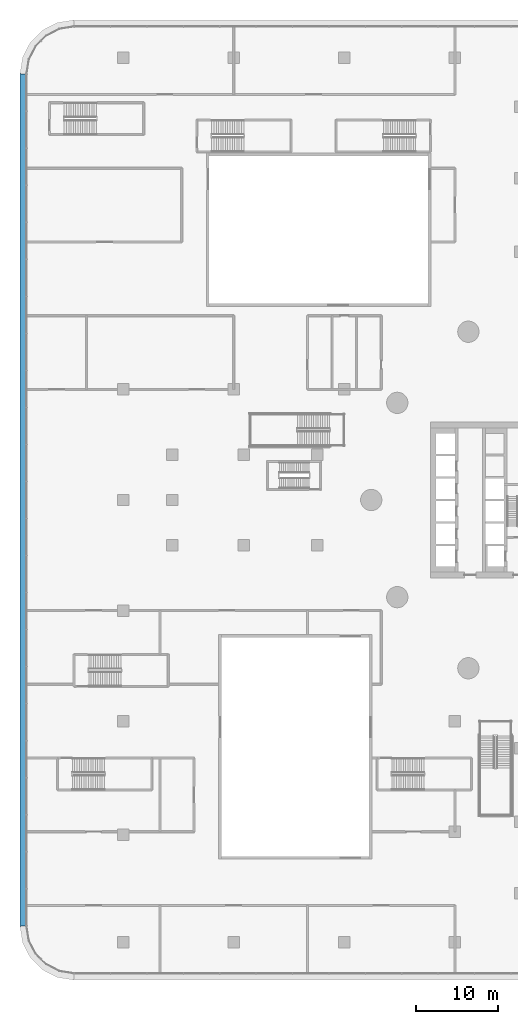
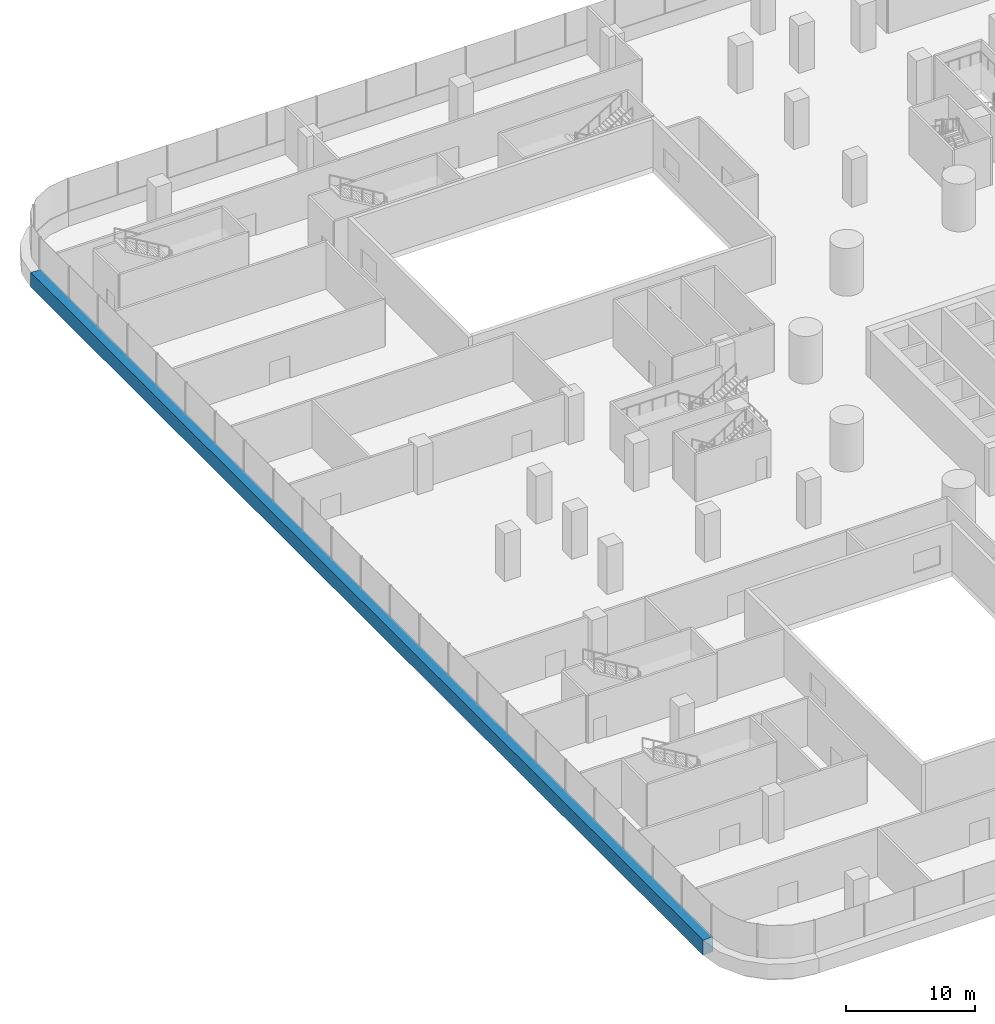
# One storey, part 5 of 44: 1 member, 1 element without a shape of its own.
"""IFC4 building model written with IfcOpenShell, lengths in metres."""

from ifc_helpers import new_model, si_unit, direction, frame, origin, place, context, subcontext, project, spatial, polyline, outline, extrude, material, layer, layer_set, type_object, element, aggregate, save


model = new_model("IFC4")

# Units and contexts
model_context = context("Model", 3, precision=1e-05, world=origin(), true_north=direction((0.0, 1.0)))
body_context = subcontext(model_context, "Body", "Model", "MODEL_VIEW")
ifc_project = project(units=[si_unit("LENGTHUNIT", "METRE"), si_unit("AREAUNIT", "SQUARE_METRE"), si_unit("VOLUMEUNIT", "CUBIC_METRE"), si_unit("PLANEANGLEUNIT", "RADIAN"), si_unit("MASSUNIT", "GRAM", prefix="KILO")], contexts=[model_context])

# Site, building, storey
site_placement = place(None, origin())
site = spatial("IfcSite", under=ifc_project, at=site_placement, CompositionType="ELEMENT")
building_placement = place(site_placement, origin())
building = spatial("IfcBuilding", under=site, at=building_placement, Name="Tamarind Cross Interchange Tower", CompositionType="ELEMENT")
storey_placement = place(building_placement, frame((0.0, 0.0, 15.0)))
storey = spatial("IfcBuildingStorey", under=building, at=storey_placement, Name="L02", CompositionType="ELEMENT", Elevation=15.0)

# Curtain wall, member
ifc_material_1 = material(Name="Aluminium 6063-T6", Category="aluminium")
ifc_layer = layer(ifc_material_1, 0.199951171875)
ifc_layer_set = layer_set([ifc_layer], Name="Aluminium 6063-T6")
curtain_wall_type = type_object("IfcCurtainWallType", Name="Podium shopfront and station curtain wall", PredefinedType="NOTDEFINED", material=ifc_layer_set)
curtain_wall_placement = place(storey_placement, origin())
curtain_wall = element("IfcCurtainWall", 1, at=curtain_wall_placement, inside=storey, type_object=curtain_wall_type, Name="CWS-L02-04", PredefinedType="NOTDEFINED")
ifc_material_2 = material(Name="Aluminium and insulated spandrel panel", Category="aluminium")
member_type = type_object("IfcMemberType", Name="Floor-edge blade transom", PredefinedType="USERDEFINED", material=ifc_material_2)
member_placement = place(storey_placement, origin())
member = element("IfcMember", 2, at=member_placement, type_object=member_type, Name="CWT-L02-04", ObjectType="TRANSOM", PredefinedType="USERDEFINED", context=body_context, shape_type="SweptSolid", body=[
    extrude(outline(polyline([(-65.699951171875, 51.976318359375), (-65.699951171875, -51.976318359375), (-66.60009765625, -52.047119140625), (-66.60009765625, 52.047119140625), (-65.699951171875, 51.976318359375)])), origin(), (0.0, 0.0, 1.0), 1.39990234375),
])
aggregate(curtain_wall, [member])

save(model, "model.ifc")
